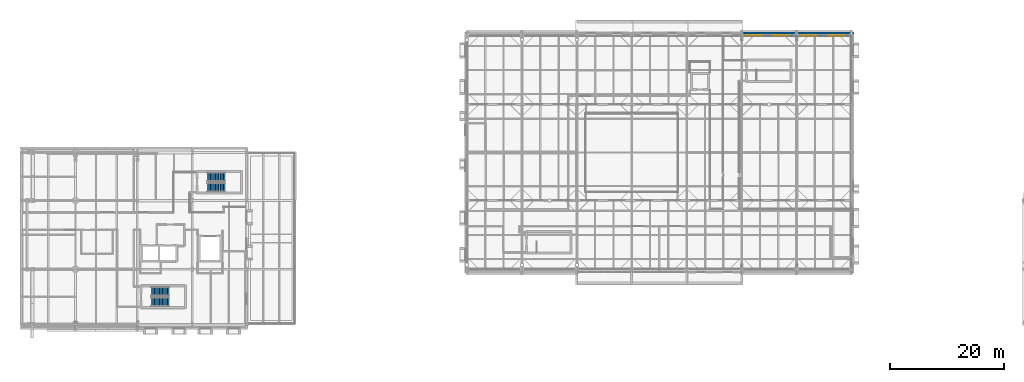
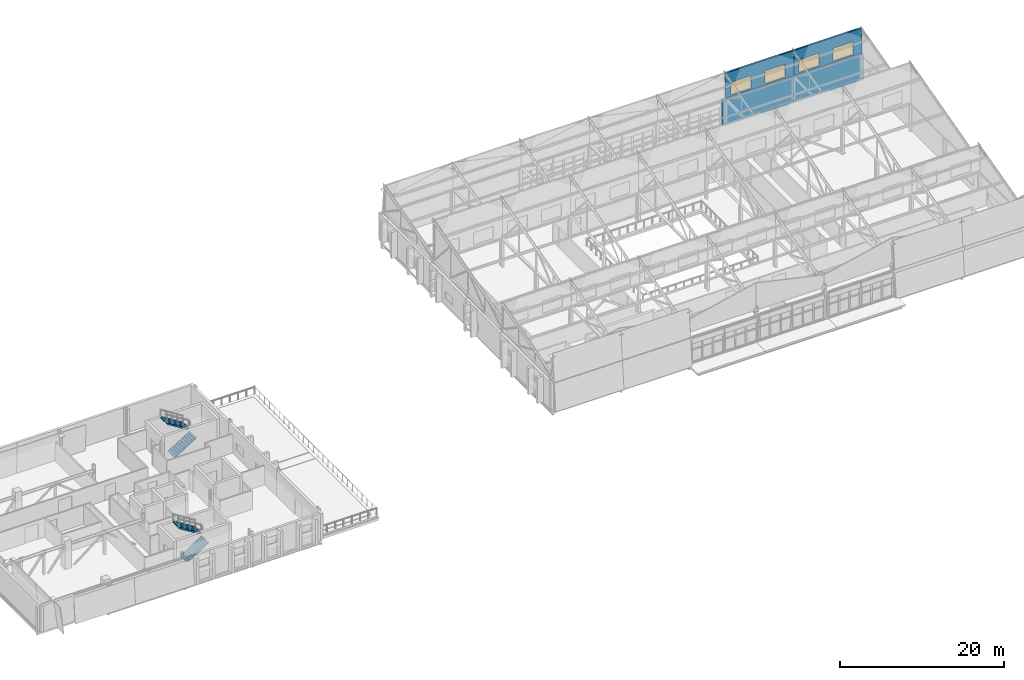
# One storey, part 83 of 89: 4 stair flights, 4 walls, 4 windows, 4 openings, 2 elements without a shape of their own.
"""IFC4 building model written with IfcOpenShell, lengths in metres."""

from ifc_helpers import new_model, si_unit, direction, frame, frame_2d, origin, place, context, subcontext, project, spatial, polyline, rectangle, outline, extrude, material, layer, layer_set, type_object, element, fill, aggregate, save


model = new_model("IFC4")

# Units and contexts
model_context = context("Model", 3, precision=1e-05, world=origin(), true_north=direction((0.0, 1.0)))
body_context = subcontext(model_context, "Body", "Model", "MODEL_VIEW")
ifc_project = project(units=[si_unit("LENGTHUNIT", "METRE"), si_unit("AREAUNIT", "SQUARE_METRE"), si_unit("VOLUMEUNIT", "CUBIC_METRE"), si_unit("PLANEANGLEUNIT", "RADIAN"), si_unit("MASSUNIT", "GRAM", prefix="KILO")], contexts=[model_context])

# Site, building, storey
site_placement = place(None, origin())
site = spatial("IfcSite", under=ifc_project, at=site_placement, CompositionType="ELEMENT")
building_placement = place(site_placement, origin())
building = spatial("IfcBuilding", under=site, at=building_placement, Name="Zereglee Splitstone Museum", CompositionType="ELEMENT")
storey_placement = place(building_placement, frame((0.0, 0.0, 21.300048828125)))
storey = spatial("IfcBuildingStorey", under=building, at=storey_placement, Name="L04", CompositionType="ELEMENT", Elevation=21.300048828125)

# Walls
ifc_material_1 = material(Name="Precast concrete C40/50", Category="concrete")
ifc_layer_1 = layer(ifc_material_1, 0.35009765625)
ifc_layer_set_1 = layer_set([ifc_layer_1], Name="Precast concrete C40/50")
wall_type_1 = type_object("IfcWallType", Name="EW-01", PredefinedType="STANDARD", material=ifc_layer_set_1)
wall_1_placement = place(storey_placement, frame((145.659912109375, 50.8798828125, 0.0), z_axis=(0.0, 0.0, 1.0), x_axis=(-1.0, 0.0, 0.0)))
element("IfcWall", 1, at=wall_1_placement, inside=storey, type_object=wall_type_1, Name="Exterior Backup Wall RC4-EW-L04-0230", PredefinedType="STANDARD", context=body_context, shape_type="SweptSolid", body=[
    extrude(rectangle(XDim=10.239990234375, YDim=0.35009765625, at=frame_2d((5.1201171875, 0.0))), origin(), (0.0, 0.0, 1.0), 3.89990234375),
])
wall_2_placement = place(storey_placement, frame((135.780029296875, 50.8798828125, 0.0), z_axis=(0.0, 0.0, 1.0), x_axis=(-1.0, 0.0, 0.0)))
element("IfcWall", 2, at=wall_2_placement, inside=storey, type_object=wall_type_1, Name="Exterior Backup Wall RC4-EW-L04-0231", PredefinedType="STANDARD", context=body_context, shape_type="SweptSolid", body=[
    extrude(rectangle(XDim=9.9599609375, YDim=0.35009765625, at=frame_2d((4.97998046875, 0.0))), origin(), (0.0, 0.0, 1.0), 3.89990234375),
])

# Wall, openings, windows
ifc_layer_2 = layer(ifc_material_1, 0.239990234375)
ifc_layer_set_2 = layer_set([ifc_layer_2], Name="Precast concrete C40/50")
wall_type_2 = type_object("IfcWallType", Name="EW-04", PredefinedType="STANDARD", material=ifc_layer_set_2)
wall_3_placement = place(storey_placement, frame((126.0, 50.39990234375, 4.3798828125), z_axis=(0.0, 0.0, 1.0), x_axis=(1.0, 0.0, 0.0)))
wall_3 = element("IfcWall", 3, at=wall_3_placement, inside=storey, type_object=wall_type_2, Name="North-Light Monitor Wall B6-S3", PredefinedType="STANDARD", context=body_context, shape_type="SweptSolid", body=[
    extrude(rectangle(XDim=9.60009765625, YDim=0.239990234375, at=frame_2d((4.800048828125, 0.0))), origin(), (0.0, 0.0, 1.0), 3.739990234375),
])
opening_1_placement = place(wall_3_placement, frame((0.75, 0.0, 0.25)))
opening_1 = element("IfcOpeningElement", 4, at=opening_1_placement, cuts=wall_3, Name="Opening SK-01", PredefinedType="OPENING", context=body_context, shape_type="SweptSolid", body=[
    extrude(rectangle(XDim=2.800048828125, YDim=1.85009765625, at=frame_2d((1.39990234375, 0.925048828125))), frame((0.0, 0.134765625, 0.0), z_axis=(0.0, -1.0, 0.0), x_axis=(1.0, 0.0, 0.0)), (0.0, 0.0, 1.0), 0.269775390625),
])
opening_2_placement = place(wall_3_placement, frame((5.550048828125, 0.0, 0.25)))
opening_2 = element("IfcOpeningElement", 5, at=opening_2_placement, cuts=wall_3, Name="Opening SK-01", PredefinedType="OPENING", context=body_context, shape_type="SweptSolid", body=[
    extrude(rectangle(XDim=2.800048828125, YDim=1.85009765625, at=frame_2d((1.39990234375, 0.925048828125))), frame((0.0, 0.134765625, 0.0), z_axis=(0.0, -1.0, 0.0), x_axis=(1.0, 0.0, 0.0)), (0.0, 0.0, 1.0), 0.269775390625),
])
ifc_material_2 = material(Name="Thermally broken aluminium frame with triple low-e glazing", Category="aluminium")
window_type = type_object("IfcWindowType", Name="SK-01", PartitioningType="TRIPLE_PANEL_VERTICAL", PredefinedType="SKYLIGHT", material=ifc_material_2)
window_1_placement = place(opening_1_placement, origin())
window_1 = element("IfcWindow", 6, at=window_1_placement, inside=storey, type_object=window_type, Name="North-Light Sawtooth Skylight B6-S3-1", OverallHeight=1.85009765625, OverallWidth=2.800048828125, PartitioningType="SINGLE_PANEL", PredefinedType="SKYLIGHT", context=body_context, shape_type="SweptSolid", body=[
    extrude(rectangle(XDim=2.800048828125, YDim=1.85009765625, at=frame_2d((1.39990234375, 0.925048828125))), frame((0.0, 0.030029296875, 0.0), z_axis=(0.0, -1.0, 0.0), x_axis=(1.0, 0.0, 0.0)), (0.0, 0.0, 1.0), 0.06005859375),
])
fill(opening_1, window_1)
window_2_placement = place(opening_2_placement, origin())
window_2 = element("IfcWindow", 7, at=window_2_placement, inside=storey, type_object=window_type, Name="North-Light Sawtooth Skylight B6-S3-2", OverallHeight=1.85009765625, OverallWidth=2.800048828125, PartitioningType="SINGLE_PANEL", PredefinedType="SKYLIGHT", context=body_context, shape_type="SweptSolid", body=[
    extrude(rectangle(XDim=2.800048828125, YDim=1.85009765625, at=frame_2d((1.39990234375, 0.925048828125))), frame((0.0, 0.030029296875, 0.0), z_axis=(0.0, -1.0, 0.0), x_axis=(1.0, 0.0, 0.0)), (0.0, 0.0, 1.0), 0.06005859375),
])
fill(opening_2, window_2)

wall_4_placement = place(storey_placement, frame((135.60009765625, 50.39990234375, 4.3798828125), z_axis=(0.0, 0.0, 1.0), x_axis=(1.0, 0.0, 0.0)))
wall_4 = element("IfcWall", 8, at=wall_4_placement, inside=storey, type_object=wall_type_2, Name="North-Light Monitor Wall B7-S3", PredefinedType="STANDARD", context=body_context, shape_type="SweptSolid", body=[
    extrude(rectangle(XDim=9.599853515625, YDim=0.239990234375, at=frame_2d((4.7998046875, 0.0))), origin(), (0.0, 0.0, 1.0), 3.739990234375),
])
opening_3_placement = place(wall_4_placement, frame((0.75, 0.0, 0.25)))
opening_3 = element("IfcOpeningElement", 9, at=opening_3_placement, cuts=wall_4, Name="Opening SK-01", PredefinedType="OPENING", context=body_context, shape_type="SweptSolid", body=[
    extrude(rectangle(XDim=2.800048828125, YDim=1.85009765625, at=frame_2d((1.39990234375, 0.925048828125))), frame((0.0, 0.134765625, 0.0), z_axis=(0.0, -1.0, 0.0), x_axis=(1.0, 0.0, 0.0)), (0.0, 0.0, 1.0), 0.269775390625),
])
opening_4_placement = place(wall_4_placement, frame((5.550048828125, 0.0, 0.25)))
opening_4 = element("IfcOpeningElement", 10, at=opening_4_placement, cuts=wall_4, Name="Opening SK-01", PredefinedType="OPENING", context=body_context, shape_type="SweptSolid", body=[
    extrude(rectangle(XDim=2.800048828125, YDim=1.85009765625, at=frame_2d((1.39990234375, 0.925048828125))), frame((0.0, 0.134765625, 0.0), z_axis=(0.0, -1.0, 0.0), x_axis=(1.0, 0.0, 0.0)), (0.0, 0.0, 1.0), 0.269775390625),
])
window_3_placement = place(opening_3_placement, origin())
window_3 = element("IfcWindow", 11, at=window_3_placement, inside=storey, type_object=window_type, Name="North-Light Sawtooth Skylight B7-S3-1", OverallHeight=1.85009765625, OverallWidth=2.800048828125, PartitioningType="SINGLE_PANEL", PredefinedType="SKYLIGHT", context=body_context, shape_type="SweptSolid", body=[
    extrude(rectangle(XDim=2.800048828125, YDim=1.85009765625, at=frame_2d((1.39990234375, 0.925048828125))), frame((0.0, 0.030029296875, 0.0), z_axis=(0.0, -1.0, 0.0), x_axis=(1.0, 0.0, 0.0)), (0.0, 0.0, 1.0), 0.06005859375),
])
fill(opening_3, window_3)
window_4_placement = place(opening_4_placement, origin())
window_4 = element("IfcWindow", 12, at=window_4_placement, inside=storey, type_object=window_type, Name="North-Light Sawtooth Skylight B7-S3-2", OverallHeight=1.85009765625, OverallWidth=2.800048828125, PartitioningType="SINGLE_PANEL", PredefinedType="SKYLIGHT", context=body_context, shape_type="SweptSolid", body=[
    extrude(rectangle(XDim=2.800048828125, YDim=1.85009765625, at=frame_2d((1.39990234375, 0.925048828125))), frame((0.0, 0.030029296875, 0.0), z_axis=(0.0, -1.0, 0.0), x_axis=(1.0, 0.0, 0.0)), (0.0, 0.0, 1.0), 0.06005859375),
])
fill(opening_4, window_4)

# Stair, stair flights
ifc_material_3 = material(Name="Concrete C35/45", Category="concrete")
stair_type_1 = type_object("IfcStairType", Name="ST-01B", PredefinedType="HALF_TURN_STAIR", material=ifc_material_3)
stair_1_placement = place(storey_placement, origin())
stair_1 = element("IfcStair", 13, at=stair_1_placement, inside=storey, type_object=stair_type_1, Name="L04 Protected Exit Stair ST-01 B", PredefinedType="HALF_TURN_STAIR")
stair_flight_type_1 = type_object("IfcStairFlightType", Name="ST-01B", PredefinedType="STRAIGHT", material=ifc_material_3)
stair_flight_1_placement = place(storey_placement, frame((22.85009765625, 3.89990234375, 0.0), z_axis=(0.0, 0.0, 1.0), x_axis=(1.0, 0.0, 0.0)))
stair_flight_1 = element("IfcStairFlight", 14, at=stair_flight_1_placement, type_object=stair_flight_type_1, Name="ST-01B flight 1", NumberOfRisers=12, NumberOfTreads=11, PredefinedType="STRAIGHT", RiserHeight=0.175, TreadLength=0.28, context=body_context, shape_type="SweptSolid", body=[
    extrude(outline(polyline([(0.0, 0.0), (0.0, 0.175048828125), (0.280029296875, 0.175048828125), (0.280029296875, 0.35009765625), (0.56005859375, 0.35009765625), (0.56005859375, 0.52490234375), (0.840087890625, 0.52490234375), (0.840087890625, 0.699951171875), (1.1201171875, 0.699951171875), (1.1201171875, 0.875), (1.39990234375, 0.875), (1.39990234375, 1.050048828125), (1.679931640625, 1.050048828125), (1.679931640625, 1.22509765625), (1.9599609375, 1.22509765625), (1.9599609375, 1.39990234375), (2.239990234375, 1.39990234375), (2.239990234375, 1.574951171875), (2.52001953125, 1.574951171875), (2.52001953125, 1.75), (2.800048828125, 1.75), (2.800048828125, 1.925048828125), (3.080078125, 1.925048828125), (3.080078125, 2.10009765625), (3.080078125, 1.736328125), (0.3017578125, 0.0), (0.0, 0.0)])), frame((0.0, 0.800048828125, 0.0), z_axis=(0.0, -1.0, 0.0), x_axis=(1.0, 0.0, 0.0)), (0.0, 0.0, 1.0), 1.60009765625),
])
stair_flight_2_placement = place(storey_placement, frame((25.929931640625, 5.699951171875, 2.099853515625), z_axis=(0.0, 0.0, 1.0), x_axis=(-1.0, 0.0, 0.0)))
stair_flight_2 = element("IfcStairFlight", 15, at=stair_flight_2_placement, type_object=stair_flight_type_1, Name="ST-01B flight 2", NumberOfRisers=12, NumberOfTreads=11, PredefinedType="STRAIGHT", RiserHeight=0.175, TreadLength=0.28, context=body_context, shape_type="SweptSolid", body=[
    extrude(outline(polyline([(0.0, 0.0), (0.0, 0.175048828125), (0.280029296875, 0.175048828125), (0.280029296875, 0.35009765625), (0.56005859375, 0.35009765625), (0.56005859375, 0.52490234375), (0.840087890625, 0.52490234375), (0.840087890625, 0.699951171875), (1.1201171875, 0.699951171875), (1.1201171875, 0.875), (1.39990234375, 0.875), (1.39990234375, 1.050048828125), (1.679931640625, 1.050048828125), (1.679931640625, 1.22509765625), (1.9599609375, 1.22509765625), (1.9599609375, 1.39990234375), (2.239990234375, 1.39990234375), (2.239990234375, 1.574951171875), (2.52001953125, 1.574951171875), (2.52001953125, 1.75), (2.800048828125, 1.75), (2.800048828125, 1.925048828125), (3.080078125, 1.925048828125), (3.080078125, 2.10009765625), (3.080078125, 1.736328125), (0.3017578125, 0.0), (0.0, 0.0)])), frame((0.0, 0.800048828125, 0.0), z_axis=(0.0, -1.0, 0.0), x_axis=(1.0, 0.0, 0.0)), (0.0, 0.0, 1.0), 1.60009765625),
])
aggregate(stair_1, [stair_flight_1, stair_flight_2])

stair_type_2 = type_object("IfcStairType", Name="ST-02B", PredefinedType="HALF_TURN_STAIR", material=ifc_material_3)
stair_2_placement = place(storey_placement, origin())
stair_2 = element("IfcStair", 16, at=stair_2_placement, inside=storey, type_object=stair_type_2, Name="L04 Protected Exit Stair ST-02 B", PredefinedType="HALF_TURN_STAIR")
stair_flight_type_2 = type_object("IfcStairFlightType", Name="ST-02B", PredefinedType="STRAIGHT", material=ifc_material_3)
stair_flight_3_placement = place(storey_placement, frame((32.64990234375, 23.89990234375, 0.0), z_axis=(0.0, 0.0, 1.0), x_axis=(1.0, 0.0, 0.0)))
stair_flight_3 = element("IfcStairFlight", 17, at=stair_flight_3_placement, type_object=stair_flight_type_2, Name="ST-02B flight 1", NumberOfRisers=12, NumberOfTreads=11, PredefinedType="STRAIGHT", RiserHeight=0.175, TreadLength=0.28, context=body_context, shape_type="SweptSolid", body=[
    extrude(outline(polyline([(0.0, 0.0), (0.0, 0.175048828125), (0.280029296875, 0.175048828125), (0.280029296875, 0.35009765625), (0.56005859375, 0.35009765625), (0.56005859375, 0.52490234375), (0.840087890625, 0.52490234375), (0.840087890625, 0.699951171875), (1.1201171875, 0.699951171875), (1.1201171875, 0.875), (1.39990234375, 0.875), (1.39990234375, 1.050048828125), (1.679931640625, 1.050048828125), (1.679931640625, 1.22509765625), (1.9599609375, 1.22509765625), (1.9599609375, 1.39990234375), (2.239990234375, 1.39990234375), (2.239990234375, 1.574951171875), (2.52001953125, 1.574951171875), (2.52001953125, 1.75), (2.800048828125, 1.75), (2.800048828125, 1.925048828125), (3.080078125, 1.925048828125), (3.080078125, 2.10009765625), (3.080078125, 1.736328125), (0.3017578125, 0.0), (0.0, 0.0)])), frame((0.0, 0.800048828125, 0.0), z_axis=(0.0, -1.0, 0.0), x_axis=(1.0, 0.0, 0.0)), (0.0, 0.0, 1.0), 1.60009765625),
])
stair_flight_4_placement = place(storey_placement, frame((35.72998046875, 25.699951171875, 2.099853515625), z_axis=(0.0, 0.0, 1.0), x_axis=(-1.0, 0.0, 0.0)))
stair_flight_4 = element("IfcStairFlight", 18, at=stair_flight_4_placement, type_object=stair_flight_type_2, Name="ST-02B flight 2", NumberOfRisers=12, NumberOfTreads=11, PredefinedType="STRAIGHT", RiserHeight=0.175, TreadLength=0.28, context=body_context, shape_type="SweptSolid", body=[
    extrude(outline(polyline([(0.0, 0.0), (0.0, 0.175048828125), (0.280029296875, 0.175048828125), (0.280029296875, 0.35009765625), (0.56005859375, 0.35009765625), (0.56005859375, 0.52490234375), (0.840087890625, 0.52490234375), (0.840087890625, 0.699951171875), (1.1201171875, 0.699951171875), (1.1201171875, 0.875), (1.39990234375, 0.875), (1.39990234375, 1.050048828125), (1.679931640625, 1.050048828125), (1.679931640625, 1.22509765625), (1.9599609375, 1.22509765625), (1.9599609375, 1.39990234375), (2.239990234375, 1.39990234375), (2.239990234375, 1.574951171875), (2.52001953125, 1.574951171875), (2.52001953125, 1.75), (2.800048828125, 1.75), (2.800048828125, 1.925048828125), (3.080078125, 1.925048828125), (3.080078125, 2.10009765625), (3.080078125, 1.736328125), (0.3017578125, 0.0), (0.0, 0.0)])), frame((0.0, 0.800048828125, 0.0), z_axis=(0.0, -1.0, 0.0), x_axis=(1.0, 0.0, 0.0)), (0.0, 0.0, 1.0), 1.60009765625),
])
aggregate(stair_2, [stair_flight_3, stair_flight_4])

save(model, "model.ifc")
